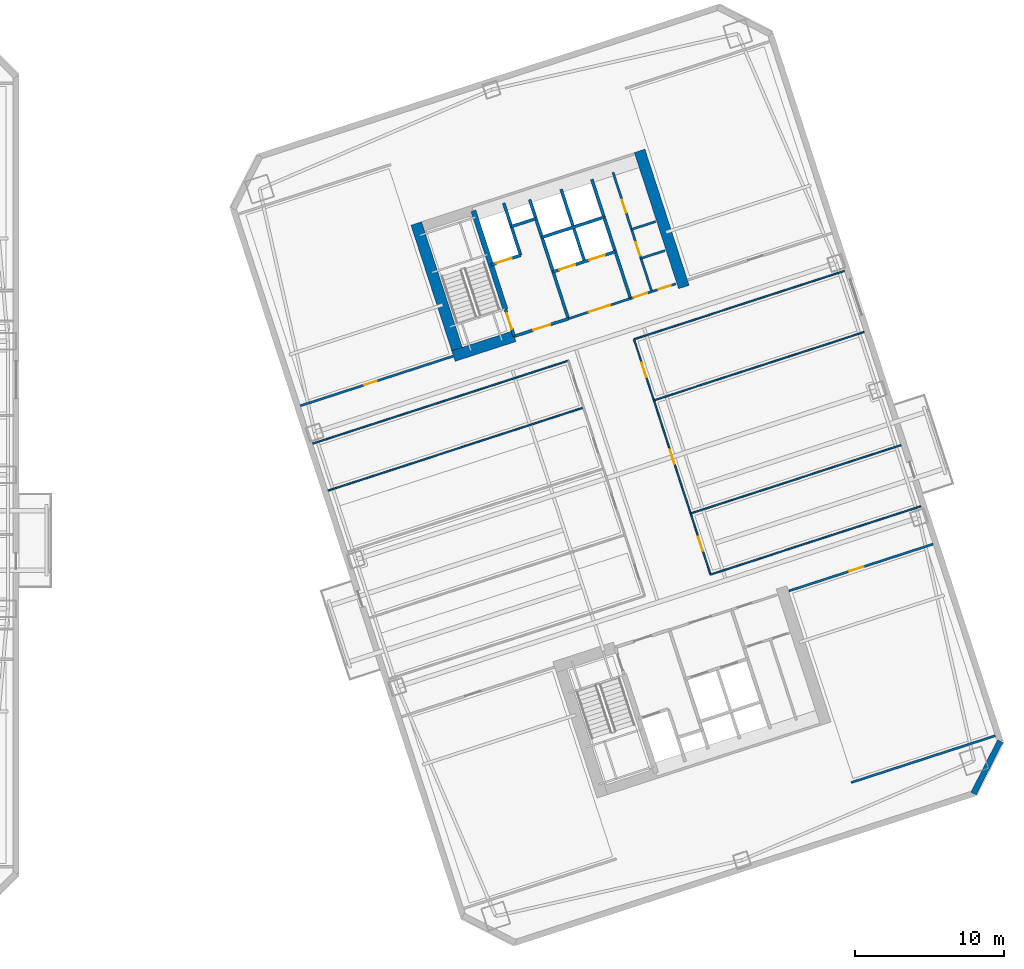
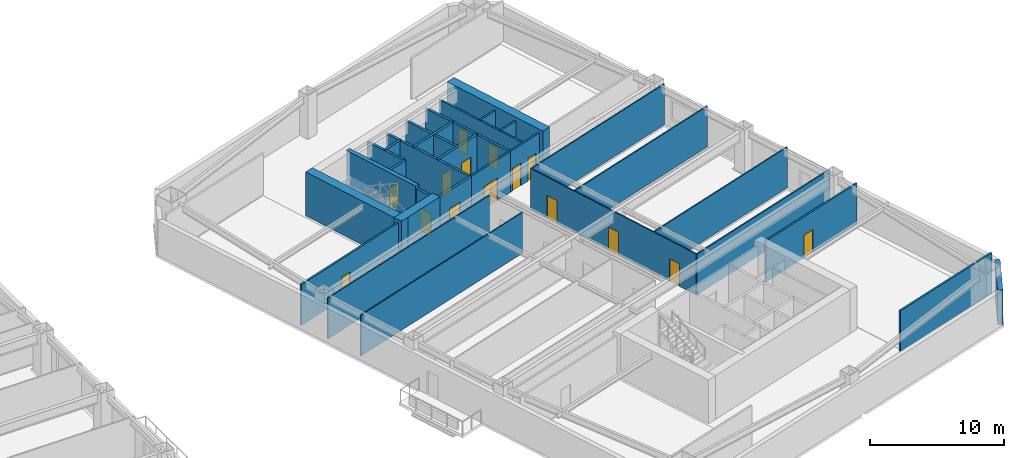
# One storey, part 8 of 18: 30 walls, 15 doors, 15 openings.
"""IFC4 building model written with IfcOpenShell, lengths in metres."""

from ifc_helpers import new_model, si_unit, direction, frame, frame_2d, origin, place, context, subcontext, project, spatial, rectangle, extrude, material, layer, layer_set, type_object, element, fill, save


model = new_model("IFC4")

# Units and contexts
model_context = context("Model", 3, precision=1e-05, world=origin(), true_north=direction((0.0, 1.0)))
body_context = subcontext(model_context, "Body", "Model", "MODEL_VIEW")
ifc_project = project(units=[si_unit("LENGTHUNIT", "METRE"), si_unit("AREAUNIT", "SQUARE_METRE"), si_unit("VOLUMEUNIT", "CUBIC_METRE"), si_unit("PLANEANGLEUNIT", "RADIAN"), si_unit("MASSUNIT", "GRAM", prefix="KILO")], contexts=[model_context])

# Site, building, storey
site_placement = place(None, origin())
site = spatial("IfcSite", under=ifc_project, at=site_placement, CompositionType="ELEMENT")
building_placement = place(site_placement, origin())
building = spatial("IfcBuilding", under=site, at=building_placement, Name="Qiaolan Cultural Towers", CompositionType="ELEMENT")
storey_placement = place(building_placement, frame((0.0, 0.0, 38.0)))
storey = spatial("IfcBuildingStorey", under=building, at=storey_placement, Name="L08", CompositionType="ELEMENT", Elevation=38.0)

# Walls
ifc_material_1 = material(Name="Concrete C50", Category="concrete")
ifc_layer_1 = layer(ifc_material_1, 0.35009765625)
ifc_layer_set_1 = layer_set([ifc_layer_1], Name="Concrete C50")
wall_type_1 = type_object("IfcWallType", Name="WL-CORE-350", PredefinedType="SHEAR", material=ifc_layer_set_1)
wall_1_placement = place(storey_placement, frame((82.513671875, 45.13134765625, 0.0), z_axis=(0.0, 0.0, 1.0), x_axis=(-0.308988790936, 0.951065679686, 0.0)))
element("IfcWall", 1, at=wall_1_placement, inside=storey, type_object=wall_type_1, Name="L08 T2-CN Stair Core Dividing Web", PredefinedType="SHEAR", context=body_context, shape_type="SweptSolid", body=[
    extrude(rectangle(XDim=6.97998046875, YDim=0.35009765625, at=frame_2d((3.489990234375, 0.0))), origin(), (0.0, 0.0, 1.0), 4.0),
])
ifc_material_2 = material(Name="Concrete C60", Category="concrete")
ifc_layer_2 = layer(ifc_material_2, 0.75)
ifc_layer_set_2 = layer_set([ifc_layer_2], Name="Concrete C60")
wall_type_2 = type_object("IfcWallType", Name="WL-CORE-750", PredefinedType="SHEAR", material=ifc_layer_set_2)
for number, where, z_axis, x_axis, name in (
    (2, (79.48876953125, 41.75634765625, 0.0), (0.0, 0.0, 1.0), (-0.309016134813, 0.951056795583, 0.0), "L08 T2-CN West Core Shear Wall"),
    (3, (94.515380859375, 46.638916015625, 0.0), (0.0, 0.0, 1.0), (-0.309016134813, 0.951056795583, 0.0), "L08 T2-CN East Core Shear Wall"),
):
    element("IfcWall", number, at=place(storey_placement, frame(where, z_axis=z_axis, x_axis=x_axis)), inside=storey, type_object=wall_type_2, Name=name, PredefinedType="SHEAR", context=body_context, shape_type="SweptSolid", body=[
        extrude(rectangle(XDim=9.630126953125, YDim=0.75, at=frame_2d((4.81494140625, 0.0))), origin(), (0.0, 0.0, 1.0), 4.0),
    ])
wall_2_placement = place(storey_placement, frame((79.01611328125, 41.997314453125, 0.0), z_axis=(0.0, 0.0, 1.0), x_axis=(0.95106038264, 0.309005094736, 0.0)))
element("IfcWall", 4, at=wall_2_placement, inside=storey, type_object=wall_type_2, Name="L08 T2-CN Stair Front Shear Wall", PredefinedType="SHEAR", context=body_context, shape_type="SweptSolid", body=[
    extrude(rectangle(XDim=4.294921875, YDim=0.75, at=frame_2d((2.1474609375, 0.0))), origin(), (0.0, 0.0, 1.0), 4.0),
])
ifc_material_3 = material(Name="Precast Concrete C50 Honed Stone Pier", Category="masonry")
ifc_layer_3 = layer(ifc_material_3, 0.39990234375)
ifc_layer_set_3 = layer_set([ifc_layer_3], Name="Precast Concrete C50 Honed Stone Pier")
wall_type_3 = type_object("IfcWallType", Name="WL-EXT-PIER-400", PredefinedType="SOLIDWALL", material=ifc_layer_set_3)
wall_3_placement = place(storey_placement, frame((115.79541015625, 16.094970703125, 0.0), z_axis=(0.0, 0.0, 1.0), x_axis=(-0.453958106755, -0.891023028497, 0.0)))
element("IfcWall", 5, at=wall_3_placement, inside=storey, type_object=wall_type_3, Name="L08 East Tower Precast Pier Facade Wall F6", PredefinedType="SOLIDWALL", context=body_context, shape_type="SweptSolid", body=[
    extrude(rectangle(XDim=3.9599609375, YDim=0.39990234375, at=frame_2d((1.97998046875, 0.0))), origin(), (0.0, 0.0, 1.0), 3.159912109375),
])

# Wall, opening, door
ifc_material_4 = material(Name="Concrete C35 Fire Wall", Category="concrete")
ifc_layer_4 = layer(ifc_material_4, 0.199951171875)
ifc_layer_set_4 = layer_set([ifc_layer_4], Name="Concrete C35 Fire Wall")
wall_type_4 = type_object("IfcWallType", Name="WL-FIRE-200", PredefinedType="PARTITIONING", material=ifc_layer_set_4)
wall_4_placement = place(storey_placement, frame((83.100830078125, 43.324462890625, 0.0), z_axis=(0.0, 0.0, 1.0), x_axis=(-0.309048298632, 0.951046344356, 0.0)))
wall_4 = element("IfcWall", 6, at=wall_4_placement, inside=storey, type_object=wall_type_4, Name="L08 T2-CN Smokeproof Stair Entry Wall", PredefinedType="PARTITIONING", context=body_context, shape_type="SweptSolid", body=[
    extrude(rectangle(XDim=1.89990234375, YDim=0.199951171875, at=frame_2d((0.949951171875, 0.0))), origin(), (0.0, 0.0, 1.0), 3.72509765625),
])
opening_1_placement = place(wall_4_placement, frame((0.52001953125, 0.0, 0.0)))
opening_1 = element("IfcOpeningElement", 7, at=opening_1_placement, cuts=wall_4, Name="Opening FD-04", PredefinedType="OPENING", context=body_context, shape_type="SweptSolid", body=[
    extrude(rectangle(XDim=1.10009765625, YDim=2.050048828125, at=frame_2d((0.550048828125, 1.02490234375))), frame((0.0, 0.10986328125, 0.0), z_axis=(0.0, -1.0, 0.0), x_axis=(1.0, 0.0, 0.0)), (0.0, 0.0, 1.0), 0.219970703125),
])
ifc_material_5 = material(Name="Galvanized Steel Command Fire Door", Category="steel")
door_type_1 = type_object("IfcDoorType", Name="DR-FD90-1100", OperationType="NOTDEFINED", PredefinedType="DOOR", material=ifc_material_5)
door_1_placement = place(opening_1_placement, origin())
door_1 = element("IfcDoor", 8, at=door_1_placement, inside=storey, type_object=door_type_1, Name="L08 ST-E2 Smokeproof Stair Fire Door", OperationType="SINGLE_SWING_LEFT", OverallHeight=2.050048828125, OverallWidth=1.10009765625, PredefinedType="DOOR", context=body_context, shape_type="SweptSolid", body=[
    extrude(rectangle(XDim=1.10009765625, YDim=2.050048828125, at=frame_2d((0.550048828125, 1.02490234375))), frame((0.0, 0.02490234375, 0.0), z_axis=(0.0, -1.0, 0.0), x_axis=(1.0, 0.0, 0.0)), (0.0, 0.0, 1.0), 0.050048828125),
])
fill(opening_1, door_1)

# Wall
wall_5_placement = place(storey_placement, frame((86.743408203125, 44.508056640625, 0.0), z_axis=(0.0, 0.0, 1.0), x_axis=(-0.309016001439, 0.951056838919, 0.0)))
element("IfcWall", 9, at=wall_5_placement, inside=storey, type_object=wall_type_4, Name="L08 T2-CN Firefighting Zone Wall", PredefinedType="PARTITIONING", context=body_context, shape_type="SweptSolid", body=[
    extrude(rectangle(XDim=8.429931640625, YDim=0.199951171875, at=frame_2d((4.21484375, 0.0))), origin(), (0.0, 0.0, 1.0), 3.72509765625),
])

# Wall, opening, door
wall_6_placement = place(storey_placement, frame((83.100830078125, 43.324462890625, 0.0), z_axis=(0.0, 0.0, 1.0), x_axis=(0.951052804469, 0.309028417967, 0.0)))
wall_6 = element("IfcWall", 10, at=wall_6_placement, inside=storey, type_object=wall_type_4, Name="L08 T2-CN Firefighting Lobby Front Wall", PredefinedType="PARTITIONING", context=body_context, shape_type="SweptSolid", body=[
    extrude(rectangle(XDim=3.830078125, YDim=0.199951171875, at=frame_2d((1.9150390625, 0.0))), origin(), (0.0, 0.0, 1.0), 3.72509765625),
])
opening_2_placement = place(wall_6_placement, frame((1.35009765625, 0.0, 0.0)))
opening_2 = element("IfcOpeningElement", 11, at=opening_2_placement, cuts=wall_6, Name="Opening FD-03", PredefinedType="OPENING", context=body_context, shape_type="SweptSolid", body=[
    extrude(rectangle(XDim=1.199951171875, YDim=2.050048828125, at=frame_2d((0.60009765625, 1.02490234375))), frame((0.0, 0.10986328125, 0.0), z_axis=(0.0, -1.0, 0.0), x_axis=(1.0, 0.0, 0.0)), (0.0, 0.0, 1.0), 0.219970703125),
])
ifc_material_6 = material(Name="Galvanized Steel Smokeproof Lobby Fire Door", Category="steel")
door_type_2 = type_object("IfcDoorType", Name="DR-FD90-1200", OperationType="NOTDEFINED", PredefinedType="DOOR", material=ifc_material_6)
door_2_placement = place(opening_2_placement, origin())
door_2 = element("IfcDoor", 12, at=door_2_placement, inside=storey, type_object=door_type_2, Name="L08 FFL-E2 Firefighting Lobby Fire Door", OperationType="SINGLE_SWING_LEFT", OverallHeight=2.050048828125, OverallWidth=1.199951171875, PredefinedType="DOOR", context=body_context, shape_type="SweptSolid", body=[
    extrude(rectangle(XDim=1.199951171875, YDim=2.050048828125, at=frame_2d((0.60009765625, 1.02490234375))), frame((0.0, 0.02490234375, 0.0), z_axis=(0.0, -1.0, 0.0), x_axis=(1.0, 0.0, 0.0)), (0.0, 0.0, 1.0), 0.050048828125),
])
fill(opening_2, door_2)

wall_7_placement = place(storey_placement, frame((81.540283203125, 48.127197265625, 0.0), z_axis=(0.0, 0.0, 1.0), x_axis=(0.951062257173, 0.308999325213, 0.0)))
wall_7 = element("IfcWall", 13, at=wall_7_placement, inside=storey, type_object=wall_type_4, Name="L08 T2-CN Firefighting Shaft Front Wall", PredefinedType="PARTITIONING", context=body_context, shape_type="SweptSolid", body=[
    extrude(rectangle(XDim=2.10009765625, YDim=0.199951171875, at=frame_2d((1.050048828125, 0.0))), origin(), (0.0, 0.0, 1.0), 3.72509765625),
])
opening_3_placement = place(wall_7_placement, frame((0.35009765625, 0.0, 0.0)))
opening_3 = element("IfcOpeningElement", 14, at=opening_3_placement, cuts=wall_7, Name="Opening LD-01", PredefinedType="OPENING", context=body_context, shape_type="SweptSolid", body=[
    extrude(rectangle(XDim=1.10009765625, YDim=2.050048828125, at=frame_2d((0.550048828125, 1.02490234375))), frame((0.0, 0.10986328125, 0.0), z_axis=(0.0, -1.0, 0.0), x_axis=(1.0, 0.0, 0.0)), (0.0, 0.0, 1.0), 0.219970703125),
])
ifc_material_7 = material(Name="Brushed Stainless Steel S30408 Centre-Parting Lift Landing Door", Category="steel")
door_type_3 = type_object("IfcDoorType", Name="DR-LIFT-1100", OperationType="NOTDEFINED", PredefinedType="DOOR", material=ifc_material_7)
door_3_placement = place(opening_3_placement, origin())
door_3 = element("IfcDoor", 15, at=door_3_placement, inside=storey, type_object=door_type_3, Name="L08 FFL-E2 Firefighting Lift Landing Door", OperationType="DOUBLE_DOOR_SLIDING", OverallHeight=2.050048828125, OverallWidth=1.10009765625, PredefinedType="DOOR", context=body_context, shape_type="SweptSolid", body=[
    extrude(rectangle(XDim=1.10009765625, YDim=2.050048828125, at=frame_2d((0.550048828125, 1.02490234375))), frame((0.0, 0.02490234375, 0.0), z_axis=(0.0, -1.0, 0.0), x_axis=(1.0, 0.0, 0.0)), (0.0, 0.0, 1.0), 0.050048828125),
])
fill(opening_3, door_3)

# Walls
wall_8_placement = place(storey_placement, frame((83.53759765625, 48.776123046875, 0.0), z_axis=(0.0, 0.0, 1.0), x_axis=(-0.3089935693, 0.951064127245, 0.0)))
element("IfcWall", 16, at=wall_8_placement, inside=storey, type_object=wall_type_4, Name="L08 T2-CN Firefighting Hoistway East Wall", PredefinedType="PARTITIONING", context=body_context, shape_type="SweptSolid", body=[
    extrude(rectangle(XDim=3.7001953125, YDim=0.199951171875, at=frame_2d((1.85009765625, 0.0))), origin(), (0.0, 0.0, 1.0), 3.72509765625),
])
wall_9_placement = place(storey_placement, frame((82.910400390625, 50.706787109375, 0.0), z_axis=(0.0, 0.0, 1.0), x_axis=(0.951041328149, 0.309063734775, 0.0)))
element("IfcWall", 17, at=wall_9_placement, inside=storey, type_object=wall_type_4, Name="L08 T2-CN Pressurization Shaft Front Wall", PredefinedType="PARTITIONING", context=body_context, shape_type="SweptSolid", body=[
    extrude(rectangle(XDim=1.72998046875, YDim=0.199951171875, at=frame_2d((0.864990234375, 0.0))), origin(), (0.0, 0.0, 1.0), 3.72509765625),
])
wall_10_placement = place(storey_placement, frame((90.92822265625, 45.86767578125, 0.0), z_axis=(0.0, 0.0, 1.0), x_axis=(-0.309042196757, 0.951048327176, 0.0)))
element("IfcWall", 18, at=wall_10_placement, inside=storey, type_object=wall_type_4, Name="L08 T2-CN Lift Core East Wall", PredefinedType="PARTITIONING", context=body_context, shape_type="SweptSolid", body=[
    extrude(rectangle(XDim=8.429931640625, YDim=0.199951171875, at=frame_2d((4.21484375, 0.0))), origin(), (0.0, 0.0, 1.0), 3.72509765625),
])

# Wall, openings, doors
wall_11_placement = place(storey_placement, frame((85.717529296875, 47.66552734375, 0.0), z_axis=(0.0, 0.0, 1.0), x_axis=(0.951058531764, 0.30901079133, 0.0)))
wall_11 = element("IfcWall", 19, at=wall_11_placement, inside=storey, type_object=wall_type_4, Name="L08 T2-CN Passenger Lift Shaft Front Wall", PredefinedType="PARTITIONING", context=body_context, shape_type="SweptSolid", body=[
    extrude(rectangle(XDim=4.39990234375, YDim=0.199951171875, at=frame_2d((2.199951171875, 0.0))), origin(), (0.0, 0.0, 1.0), 3.72509765625),
])
opening_4_placement = place(wall_11_placement, frame((0.449951171875, 0.0, 0.0)))
opening_4 = element("IfcOpeningElement", 20, at=opening_4_placement, cuts=wall_11, Name="Opening LD-01", PredefinedType="OPENING", context=body_context, shape_type="SweptSolid", body=[
    extrude(rectangle(XDim=1.10009765625, YDim=2.050048828125, at=frame_2d((0.550048828125, 1.02490234375))), frame((0.0, 0.10986328125, 0.0), z_axis=(0.0, -1.0, 0.0), x_axis=(1.0, 0.0, 0.0)), (0.0, 0.0, 1.0), 0.219970703125),
])
opening_5_placement = place(wall_11_placement, frame((2.550048828125, 0.0, 0.0)))
opening_5 = element("IfcOpeningElement", 21, at=opening_5_placement, cuts=wall_11, Name="Opening LD-01", PredefinedType="OPENING", context=body_context, shape_type="SweptSolid", body=[
    extrude(rectangle(XDim=1.10009765625, YDim=2.050048828125, at=frame_2d((0.550048828125, 1.02490234375))), frame((0.0, 0.10986328125, 0.0), z_axis=(0.0, -1.0, 0.0), x_axis=(1.0, 0.0, 0.0)), (0.0, 0.0, 1.0), 0.219970703125),
])
door_4_placement = place(opening_4_placement, origin())
door_4 = element("IfcDoor", 22, at=door_4_placement, inside=storey, type_object=door_type_3, Name="L08 Passenger Lift 1 Landing Door", OperationType="DOUBLE_DOOR_SLIDING", OverallHeight=2.050048828125, OverallWidth=1.10009765625, PredefinedType="DOOR", context=body_context, shape_type="SweptSolid", body=[
    extrude(rectangle(XDim=1.10009765625, YDim=2.050048828125, at=frame_2d((0.550048828125, 1.02490234375))), frame((0.0, 0.02490234375, 0.0), z_axis=(0.0, -1.0, 0.0), x_axis=(1.0, 0.0, 0.0)), (0.0, 0.0, 1.0), 0.050048828125),
])
fill(opening_4, door_4)
door_5_placement = place(opening_5_placement, origin())
door_5 = element("IfcDoor", 23, at=door_5_placement, inside=storey, type_object=door_type_3, Name="L08 Passenger Lift 2 Landing Door", OperationType="DOUBLE_DOOR_SLIDING", OverallHeight=2.050048828125, OverallWidth=1.10009765625, PredefinedType="DOOR", context=body_context, shape_type="SweptSolid", body=[
    extrude(rectangle(XDim=1.10009765625, YDim=2.050048828125, at=frame_2d((0.550048828125, 1.02490234375))), frame((0.0, 0.02490234375, 0.0), z_axis=(0.0, -1.0, 0.0), x_axis=(1.0, 0.0, 0.0)), (0.0, 0.0, 1.0), 0.050048828125),
])
fill(opening_5, door_5)

# Walls
wall_12_placement = place(storey_placement, frame((87.83837890625, 48.3544921875, 0.0), z_axis=(0.0, 0.0, 1.0), x_axis=(-0.3090093719, 0.951058992953, 0.0)))
element("IfcWall", 24, at=wall_12_placement, inside=storey, type_object=wall_type_4, Name="L08 T2-CN Lift Shaft Divider Wall", PredefinedType="PARTITIONING", context=body_context, shape_type="SweptSolid", body=[
    extrude(rectangle(XDim=5.110107421875, YDim=0.199951171875, at=frame_2d((2.55517578125, 0.0))), origin(), (0.0, 0.0, 1.0), 3.72509765625),
])
wall_13_placement = place(storey_placement, frame((84.966552734375, 49.9765625, 0.0), z_axis=(0.0, 0.0, 1.0), x_axis=(0.951063829732, 0.308994485023, 0.0)))
element("IfcWall", 25, at=wall_13_placement, inside=storey, type_object=wall_type_4, Name="L08 T2-CN Passenger Lift Shaft Back Wall", PredefinedType="PARTITIONING", context=body_context, shape_type="SweptSolid", body=[
    extrude(rectangle(XDim=4.400146484375, YDim=0.199951171875, at=frame_2d((2.2001953125, 0.0))), origin(), (0.0, 0.0, 1.0), 3.72509765625),
])
ifc_material_8 = material(Name="Acoustic Double-Glazed Partition Frame", Category="glass")
ifc_layer_5 = layer(ifc_material_8, 0.10009765625)
ifc_layer_set_5 = layer_set([ifc_layer_5], Name="Acoustic Double-Glazed Partition Frame")
wall_type_5 = type_object("IfcWallType", Name="WL-GLAZED-100", PredefinedType="MOVABLE", material=ifc_layer_set_5)
wall_14_placement = place(storey_placement, frame((96.303955078125, 27.300048828125, 0.0), z_axis=(0.0, 0.0, 1.0), x_axis=(0.951055535739, 0.309020012199, 0.0)))
element("IfcWall", 26, at=wall_14_placement, inside=storey, type_object=wall_type_5, Name="L08 T2 South Corridor Right Wall", PredefinedType="MOVABLE", context=body_context, shape_type="SweptSolid", body=[
    extrude(rectangle(XDim=14.875, YDim=0.10009765625, at=frame_2d((7.4375, 0.0))), origin(), (0.0, 0.0, 1.0), 3.72509765625),
])
wall_15_placement = place(storey_placement, frame((69.549072265625, 36.103271484375, 0.0), z_axis=(0.0, 0.0, 1.0), x_axis=(0.951057491432, 0.309013993197, 0.0)))
element("IfcWall", 27, at=wall_15_placement, inside=storey, type_object=wall_type_5, Name="L08 T2 North Corridor Left Wall", PredefinedType="MOVABLE", context=body_context, shape_type="SweptSolid", body=[
    extrude(rectangle(XDim=18.074951171875, YDim=0.10009765625, at=frame_2d((9.03759765625, 0.0))), origin(), (0.0, 0.0, 1.0), 3.72509765625),
])
wall_16_placement = place(storey_placement, frame((91.161865234375, 43.125732421875, 0.0), z_axis=(0.0, 0.0, 1.0), x_axis=(0.951055535739, 0.309020012199, 0.0)))
element("IfcWall", 28, at=wall_16_placement, inside=storey, type_object=wall_type_5, Name="L08 T2 North Corridor Right Wall", PredefinedType="MOVABLE", context=body_context, shape_type="SweptSolid", body=[
    extrude(rectangle(XDim=14.875, YDim=0.10009765625, at=frame_2d((7.4375, 0.0))), origin(), (0.0, 0.0, 1.0), 3.72509765625),
])

# Wall, openings, doors
wall_17_placement = place(storey_placement, frame((96.303955078125, 27.300048828125, 0.0), z_axis=(0.0, 0.0, 1.0), x_axis=(-0.30901773025, 0.951056277195, 0.0)))
wall_17 = element("IfcWall", 29, at=wall_17_placement, inside=storey, type_object=wall_type_5, Name="L08 T2 East Spine Wall", PredefinedType="MOVABLE", context=body_context, shape_type="SweptSolid", body=[
    extrude(rectangle(XDim=16.64013671875, YDim=0.10009765625, at=frame_2d((8.320068359375, 0.0))), origin(), (0.0, 0.0, 1.0), 3.72509765625),
])
opening_6_placement = place(wall_17_placement, frame((1.659912109375, 0.0, 0.0)))
opening_6 = element("IfcOpeningElement", 30, at=opening_6_placement, cuts=wall_17, Name="Opening ID-04", PredefinedType="OPENING", context=body_context, shape_type="SweptSolid", body=[
    extrude(rectangle(XDim=1.0, YDim=2.050048828125, at=frame_2d((0.5, 1.02490234375))), frame((0.0, 0.06005859375, 0.0), z_axis=(0.0, -1.0, 0.0), x_axis=(1.0, 0.0, 0.0)), (0.0, 0.0, 1.0), 0.1201171875),
])
opening_7_placement = place(wall_17_placement, frame((7.820068359375, 0.0, 0.0)))
opening_7 = element("IfcOpeningElement", 31, at=opening_7_placement, cuts=wall_17, Name="Opening ID-04", PredefinedType="OPENING", context=body_context, shape_type="SweptSolid", body=[
    extrude(rectangle(XDim=1.0, YDim=2.050048828125, at=frame_2d((0.5, 1.02490234375))), frame((0.0, 0.06005859375, 0.0), z_axis=(0.0, -1.0, 0.0), x_axis=(1.0, 0.0, 0.0)), (0.0, 0.0, 1.0), 0.1201171875),
])
opening_8_placement = place(wall_17_placement, frame((13.97998046875, 0.0, 0.0)))
opening_8 = element("IfcOpeningElement", 32, at=opening_8_placement, cuts=wall_17, Name="Opening ID-04", PredefinedType="OPENING", context=body_context, shape_type="SweptSolid", body=[
    extrude(rectangle(XDim=1.0, YDim=2.050048828125, at=frame_2d((0.5, 1.02490234375))), frame((0.0, 0.06005859375, 0.0), z_axis=(0.0, -1.0, 0.0), x_axis=(1.0, 0.0, 0.0)), (0.0, 0.0, 1.0), 0.1201171875),
])
ifc_material_9 = material(Name="Oak Veneer Acoustic Office Door", Category="timber")
door_type_4 = type_object("IfcDoorType", Name="DR-INT-1000", OperationType="NOTDEFINED", PredefinedType="DOOR", material=ifc_material_9)
door_6_placement = place(opening_6_placement, origin())
door_6 = element("IfcDoor", 33, at=door_6_placement, inside=storey, type_object=door_type_4, Name="L08 T2 Cultural Bookstore Gallery Door", OperationType="SINGLE_SWING_RIGHT", OverallHeight=2.050048828125, OverallWidth=1.0, PredefinedType="DOOR", context=body_context, shape_type="SweptSolid", body=[
    extrude(rectangle(XDim=1.0, YDim=2.050048828125, at=frame_2d((0.5, 1.02490234375))), frame((0.0, 0.02490234375, 0.0), z_axis=(0.0, -1.0, 0.0), x_axis=(1.0, 0.0, 0.0)), (0.0, 0.0, 1.0), 0.050048828125),
])
fill(opening_6, door_6)
door_7_placement = place(opening_7_placement, origin())
door_7 = element("IfcDoor", 34, at=door_7_placement, inside=storey, type_object=door_type_4, Name="L08 T2 Design Archive Studio Door", OperationType="SINGLE_SWING_LEFT", OverallHeight=2.050048828125, OverallWidth=1.0, PredefinedType="DOOR", context=body_context, shape_type="SweptSolid", body=[
    extrude(rectangle(XDim=1.0, YDim=2.050048828125, at=frame_2d((0.5, 1.02490234375))), frame((0.0, 0.02490234375, 0.0), z_axis=(0.0, -1.0, 0.0), x_axis=(1.0, 0.0, 0.0)), (0.0, 0.0, 1.0), 0.050048828125),
])
fill(opening_7, door_7)
door_8_placement = place(opening_8_placement, origin())
door_8 = element("IfcDoor", 35, at=door_8_placement, inside=storey, type_object=door_type_4, Name="L08 T2 Staff Dining Kitchen Door", OperationType="SINGLE_SWING_RIGHT", OverallHeight=2.050048828125, OverallWidth=1.0, PredefinedType="DOOR", context=body_context, shape_type="SweptSolid", body=[
    extrude(rectangle(XDim=1.0, YDim=2.050048828125, at=frame_2d((0.5, 1.02490234375))), frame((0.0, 0.02490234375, 0.0), z_axis=(0.0, -1.0, 0.0), x_axis=(1.0, 0.0, 0.0)), (0.0, 0.0, 1.0), 0.050048828125),
])
fill(opening_8, door_8)

# Walls
wall_18_placement = place(storey_placement, frame((70.574951171875, 32.94580078125, 0.0), z_axis=(0.0, 0.0, 1.0), x_axis=(0.951057491432, 0.309013993197, 0.0)))
element("IfcWall", 36, at=wall_18_placement, inside=storey, type_object=wall_type_5, Name="L08 T2 West Partition 5", PredefinedType="MOVABLE", context=body_context, shape_type="SweptSolid", body=[
    extrude(rectangle(XDim=18.074951171875, YDim=0.10009765625, at=frame_2d((9.03759765625, 0.0))), origin(), (0.0, 0.0, 1.0), 3.72509765625),
])
for number, where, z_axis, x_axis, name in (
    (37, (94.968994140625, 31.40869140625, 0.0), (0.0, 0.0, 1.0), (0.951055535739, 0.309020012199, 0.0), "L08 T2 East Partition 1"),
    (38, (92.496826171875, 39.01708984375, 0.0), (0.0, 0.0, 1.0), (0.951055535739, 0.309020012199, 0.0), "L08 T2 East Partition 2"),
):
    element("IfcWall", number, at=place(storey_placement, frame(where, z_axis=z_axis, x_axis=x_axis)), inside=storey, type_object=wall_type_5, Name=name, PredefinedType="MOVABLE", context=body_context, shape_type="SweptSolid", body=[
        extrude(rectangle(XDim=14.875, YDim=0.10009765625, at=frame_2d((7.4375, 0.0))), origin(), (0.0, 0.0, 1.0), 3.72509765625),
    ])

# Wall, opening, door
ifc_material_10 = material(Name="Autoclaved Aerated Concrete Block B06", Category="concrete")
ifc_layer_6 = layer(ifc_material_10, 0.14990234375)
ifc_layer_set_6 = layer_set([ifc_layer_6], Name="Autoclaved Aerated Concrete Block B06")
wall_type_6 = type_object("IfcWallType", Name="WL-PART-150", PredefinedType="PARTITIONING", material=ifc_layer_set_6)
wall_19_placement = place(storey_placement, frame((86.743408203125, 44.508056640625, 0.0), z_axis=(0.0, 0.0, 1.0), x_axis=(0.951063829732, 0.308994485023, 0.0)))
wall_19 = element("IfcWall", 39, at=wall_19_placement, inside=storey, type_object=wall_type_6, Name="L08 T2-CN Passenger Lift Lobby Front Wall", PredefinedType="PARTITIONING", context=body_context, shape_type="SweptSolid", body=[
    extrude(rectangle(XDim=4.400146484375, YDim=0.14990234375, at=frame_2d((2.2001953125, 0.0))), origin(), (0.0, 0.0, 1.0), 3.72509765625),
])
opening_9_placement = place(wall_19_placement, frame((1.449951171875, 0.0, 0.0)))
opening_9 = element("IfcOpeningElement", 40, at=opening_9_placement, cuts=wall_19, Name="Opening FD-05", PredefinedType="OPENING", context=body_context, shape_type="SweptSolid", body=[
    extrude(rectangle(XDim=1.5, YDim=2.050048828125, at=frame_2d((0.75, 1.02490234375))), frame((0.0, 0.0849609375, 0.0), z_axis=(0.0, -1.0, 0.0), x_axis=(1.0, 0.0, 0.0)), (0.0, 0.0, 1.0), 0.169921875),
])
ifc_material_11 = material(Name="Painted Steel Lift Lobby Fire Door", Category="steel")
door_type_5 = type_object("IfcDoorType", Name="DR-FD60-1500", OperationType="NOTDEFINED", PredefinedType="DOOR", material=ifc_material_11)
door_9_placement = place(opening_9_placement, origin())
door_9 = element("IfcDoor", 41, at=door_9_placement, inside=storey, type_object=door_type_5, Name="L08 Passenger Lift Lobby Entrance", OperationType="SINGLE_SWING_LEFT", OverallHeight=2.050048828125, OverallWidth=1.5, PredefinedType="DOOR", context=body_context, shape_type="SweptSolid", body=[
    extrude(rectangle(XDim=1.5, YDim=2.050048828125, at=frame_2d((0.75, 1.02490234375))), frame((0.0, 0.02490234375, 0.0), z_axis=(0.0, -1.0, 0.0), x_axis=(1.0, 0.0, 0.0)), (0.0, 0.0, 1.0), 0.050048828125),
])
fill(opening_9, door_9)

# Wall, openings, doors
wall_20_placement = place(storey_placement, frame((90.92822265625, 45.86767578125, 0.0), z_axis=(0.0, 0.0, 1.0), x_axis=(0.951059297078, 0.309008435874, 0.0)))
wall_20 = element("IfcWall", 42, at=wall_20_placement, inside=storey, type_object=wall_type_6, Name="L08 T2-CN Sanitary Core Front Wall", PredefinedType="PARTITIONING", context=body_context, shape_type="SweptSolid", body=[
    extrude(rectangle(XDim=3.19970703125, YDim=0.14990234375, at=frame_2d((1.599853515625, 0.0))), origin(), (0.0, 0.0, 1.0), 3.72509765625),
])
opening_10_placement = place(wall_20_placement, frame((0.219970703125, 0.0, 0.0)))
opening_10 = element("IfcOpeningElement", 43, at=opening_10_placement, cuts=wall_20, Name="Opening ID-05", PredefinedType="OPENING", context=body_context, shape_type="SweptSolid", body=[
    extrude(rectangle(XDim=0.949951171875, YDim=2.050048828125, at=frame_2d((0.47509765625, 1.02490234375))), frame((0.0, 0.0849609375, 0.0), z_axis=(0.0, -1.0, 0.0), x_axis=(1.0, 0.0, 0.0)), (0.0, 0.0, 1.0), 0.169921875),
])
opening_11_placement = place(wall_20_placement, frame((1.949951171875, 0.0, 0.0)))
opening_11 = element("IfcOpeningElement", 44, at=opening_11_placement, cuts=wall_20, Name="Opening ID-06", PredefinedType="OPENING", context=body_context, shape_type="SweptSolid", body=[
    extrude(rectangle(XDim=0.89990234375, YDim=2.050048828125, at=frame_2d((0.449951171875, 1.02490234375))), frame((0.0, 0.0849609375, 0.0), z_axis=(0.0, -1.0, 0.0), x_axis=(1.0, 0.0, 0.0)), (0.0, 0.0, 1.0), 0.169921875),
])
ifc_material_12 = material(Name="Fire-Rated Laminate Core Service Door", Category="timber")
door_type_6 = type_object("IfcDoorType", Name="DR-INT-900", OperationType="NOTDEFINED", PredefinedType="DOOR", material=ifc_material_12)
door_10_placement = place(opening_11_placement, origin())
door_10 = element("IfcDoor", 45, at=door_10_placement, inside=storey, type_object=door_type_6, Name="L08 Core Tea Pantry Door", OperationType="SINGLE_SWING_RIGHT", OverallHeight=2.050048828125, OverallWidth=0.89990234375, PredefinedType="DOOR", context=body_context, shape_type="SweptSolid", body=[
    extrude(rectangle(XDim=0.89990234375, YDim=2.050048828125, at=frame_2d((0.449951171875, 1.02490234375))), frame((0.0, 0.02490234375, 0.0), z_axis=(0.0, -1.0, 0.0), x_axis=(1.0, 0.0, 0.0)), (0.0, 0.0, 1.0), 0.050048828125),
])
fill(opening_11, door_10)
ifc_material_13 = material(Name="Fire-Rated Laminate Accessible Core Door", Category="timber")
door_type_7 = type_object("IfcDoorType", Name="DR-INT-950", OperationType="NOTDEFINED", PredefinedType="DOOR", material=ifc_material_13)
door_11_placement = place(opening_10_placement, origin())
door_11 = element("IfcDoor", 46, at=door_11_placement, inside=storey, type_object=door_type_7, Name="L08 Sanitary Passage Door", OperationType="SINGLE_SWING_LEFT", OverallHeight=2.050048828125, OverallWidth=0.949951171875, PredefinedType="DOOR", context=body_context, shape_type="SweptSolid", body=[
    extrude(rectangle(XDim=0.949951171875, YDim=2.050048828125, at=frame_2d((0.47509765625, 1.02490234375))), frame((0.0, 0.02490234375, 0.0), z_axis=(0.0, -1.0, 0.0), x_axis=(1.0, 0.0, 0.0)), (0.0, 0.0, 1.0), 0.050048828125),
])
fill(opening_10, door_11)

wall_21_placement = place(storey_placement, frame((92.354736328125, 46.3310546875, 0.0), z_axis=(0.0, 0.0, 1.0), x_axis=(-0.309007490203, 0.951059604335, 0.0)))
wall_21 = element("IfcWall", 47, at=wall_21_placement, inside=storey, type_object=wall_type_6, Name="L08 T2-CN Sanitary Corridor Wall", PredefinedType="PARTITIONING", context=body_context, shape_type="SweptSolid", body=[
    extrude(rectangle(XDim=8.43017578125, YDim=0.14990234375, at=frame_2d((4.215087890625, 0.0))), origin(), (0.0, 0.0, 1.0), 3.72509765625),
])
opening_12_placement = place(wall_21_placement, frame((2.550048828125, 0.0, 0.0)))
opening_12 = element("IfcOpeningElement", 48, at=opening_12_placement, cuts=wall_21, Name="Opening ID-05", PredefinedType="OPENING", context=body_context, shape_type="SweptSolid", body=[
    extrude(rectangle(XDim=0.949951171875, YDim=2.050048828125, at=frame_2d((0.47509765625, 1.02490234375))), frame((0.0, 0.0849609375, 0.0), z_axis=(0.0, -1.0, 0.0), x_axis=(1.0, 0.0, 0.0)), (0.0, 0.0, 1.0), 0.169921875),
])
opening_13_placement = place(wall_21_placement, frame((5.60009765625, 0.0, 0.0)))
opening_13 = element("IfcOpeningElement", 49, at=opening_13_placement, cuts=wall_21, Name="Opening ID-06", PredefinedType="OPENING", context=body_context, shape_type="SweptSolid", body=[
    extrude(rectangle(XDim=0.89990234375, YDim=2.050048828125, at=frame_2d((0.449951171875, 1.02490234375))), frame((0.0, 0.0849609375, 0.0), z_axis=(0.0, -1.0, 0.0), x_axis=(1.0, 0.0, 0.0)), (0.0, 0.0, 1.0), 0.169921875),
])
door_12_placement = place(opening_13_placement, origin())
door_12 = element("IfcDoor", 50, at=door_12_placement, inside=storey, type_object=door_type_6, Name="L08 Staff Restroom Door", OperationType="SINGLE_SWING_RIGHT", OverallHeight=2.050048828125, OverallWidth=0.89990234375, PredefinedType="DOOR", context=body_context, shape_type="SweptSolid", body=[
    extrude(rectangle(XDim=0.89990234375, YDim=2.050048828125, at=frame_2d((0.449951171875, 1.02490234375))), frame((0.0, 0.02490234375, 0.0), z_axis=(0.0, -1.0, 0.0), x_axis=(1.0, 0.0, 0.0)), (0.0, 0.0, 1.0), 0.050048828125),
])
fill(opening_13, door_12)
door_13_placement = place(opening_12_placement, origin())
door_13 = element("IfcDoor", 51, at=door_13_placement, inside=storey, type_object=door_type_7, Name="L08 Accessible Washroom Door", OperationType="SINGLE_SWING_LEFT", OverallHeight=2.050048828125, OverallWidth=0.949951171875, PredefinedType="DOOR", context=body_context, shape_type="SweptSolid", body=[
    extrude(rectangle(XDim=0.949951171875, YDim=2.050048828125, at=frame_2d((0.47509765625, 1.02490234375))), frame((0.0, 0.02490234375, 0.0), z_axis=(0.0, -1.0, 0.0), x_axis=(1.0, 0.0, 0.0)), (0.0, 0.0, 1.0), 0.050048828125),
])
fill(opening_12, door_13)

# Walls
wall_22_placement = place(storey_placement, frame((90.9951171875, 50.515869140625, 0.0), z_axis=(0.0, 0.0, 1.0), x_axis=(0.951040401051, 0.309066587596, 0.0)))
element("IfcWall", 52, at=wall_22_placement, inside=storey, type_object=wall_type_6, Name="L08 T2-CN Restroom Split Wall", PredefinedType="PARTITIONING", context=body_context, shape_type="SweptSolid", body=[
    extrude(rectangle(XDim=1.699951171875, YDim=0.14990234375, at=frame_2d((0.85009765625, 0.0))), origin(), (0.0, 0.0, 1.0), 3.72509765625),
])
wall_23_placement = place(storey_placement, frame((91.62841796875, 48.566162109375, 0.0), z_axis=(0.0, 0.0, 1.0), x_axis=(0.951054116971, 0.309024378638, 0.0)))
element("IfcWall", 53, at=wall_23_placement, inside=storey, type_object=wall_type_6, Name="L08 T2-CN Core Pantry Wall", PredefinedType="PARTITIONING", context=body_context, shape_type="SweptSolid", body=[
    extrude(rectangle(XDim=1.7001953125, YDim=0.14990234375, at=frame_2d((0.85009765625, 0.0))), origin(), (0.0, 0.0, 1.0), 3.72509765625),
])
wall_24_placement = place(storey_placement, frame((105.765380859375, 13.30908203125, 0.0), z_axis=(0.0, 0.0, 1.0), x_axis=(0.951054294345, 0.309023832749, 0.0)))
element("IfcWall", 54, at=wall_24_placement, inside=storey, type_object=wall_type_6, Name="L08 T2 Flank Wall FLK-SE", PredefinedType="PARTITIONING", context=body_context, shape_type="SweptSolid", body=[
    extrude(rectangle(XDim=10.2001953125, YDim=0.14990234375, at=frame_2d((5.10009765625, 0.0))), origin(), (0.0, 0.0, 1.0), 3.72509765625),
])

# Wall, opening, door
wall_25_placement = place(storey_placement, frame((101.578369140625, 26.196044921875, 0.0), z_axis=(0.0, 0.0, 1.0), x_axis=(0.951059043131, 0.309009217467, 0.0)))
wall_25 = element("IfcWall", 55, at=wall_25_placement, inside=storey, type_object=wall_type_6, Name="L08 T2 Flank Front FLK-SE", PredefinedType="PARTITIONING", context=body_context, shape_type="SweptSolid", body=[
    extrude(rectangle(XDim=10.199951171875, YDim=0.14990234375, at=frame_2d((5.10009765625, 0.0))), origin(), (0.0, 0.0, 1.0), 3.72509765625),
])
opening_14_placement = place(wall_25_placement, frame((4.283935546875, 0.0, 0.0)))
opening_14 = element("IfcOpeningElement", 56, at=opening_14_placement, cuts=wall_25, Name="Opening ID-04", PredefinedType="OPENING", context=body_context, shape_type="SweptSolid", body=[
    extrude(rectangle(XDim=1.0, YDim=2.050048828125, at=frame_2d((0.5, 1.02490234375))), frame((0.0, 0.0849609375, 0.0), z_axis=(0.0, -1.0, 0.0), x_axis=(1.0, 0.0, 0.0)), (0.0, 0.0, 1.0), 0.169921875),
])
door_14_placement = place(opening_14_placement, origin())
door_14 = element("IfcDoor", 57, at=door_14_placement, inside=storey, type_object=door_type_4, Name="L08 T2 Corner Studio Door", OperationType="SINGLE_SWING_LEFT", OverallHeight=2.050048828125, OverallWidth=1.0, PredefinedType="DOOR", context=body_context, shape_type="SweptSolid", body=[
    extrude(rectangle(XDim=1.0, YDim=2.050048828125, at=frame_2d((0.5, 1.02490234375))), frame((0.0, 0.02490234375, 0.0), z_axis=(0.0, -1.0, 0.0), x_axis=(1.0, 0.0, 0.0)), (0.0, 0.0, 1.0), 0.050048828125),
])
fill(opening_14, door_14)

wall_26_placement = place(storey_placement, frame((68.720947265625, 38.652099609375, 0.0), z_axis=(0.0, 0.0, 1.0), x_axis=(0.951056658866, 0.309016555588, 0.0)))
wall_26 = element("IfcWall", 58, at=wall_26_placement, inside=storey, type_object=wall_type_6, Name="L08 T2 Flank Front FLK-NW", PredefinedType="PARTITIONING", context=body_context, shape_type="SweptSolid", body=[
    extrude(rectangle(XDim=10.800048828125, YDim=0.14990234375, at=frame_2d((5.39990234375, 0.0))), origin(), (0.0, 0.0, 1.0), 3.72509765625),
])
opening_15_placement = place(wall_26_placement, frame((4.535888671875, 0.0, 0.0)))
opening_15 = element("IfcOpeningElement", 59, at=opening_15_placement, cuts=wall_26, Name="Opening ID-09", PredefinedType="OPENING", context=body_context, shape_type="SweptSolid", body=[
    extrude(rectangle(XDim=0.85009765625, YDim=2.050048828125, at=frame_2d((0.425048828125, 1.02490234375))), frame((0.0, 0.0849609375, 0.0), z_axis=(0.0, -1.0, 0.0), x_axis=(1.0, 0.0, 0.0)), (0.0, 0.0, 1.0), 0.169921875),
])
ifc_material_14 = material(Name="Moisture-Resistant Laminate Utility Door", Category="timber")
door_type_8 = type_object("IfcDoorType", Name="DR-INT-850", OperationType="NOTDEFINED", PredefinedType="DOOR", material=ifc_material_14)
door_15_placement = place(opening_15_placement, origin())
door_15 = element("IfcDoor", 60, at=door_15_placement, inside=storey, type_object=door_type_8, Name="L08 T2 Corner Studio Door", OperationType="SINGLE_SWING_LEFT", OverallHeight=2.050048828125, OverallWidth=0.85009765625, PredefinedType="DOOR", context=body_context, shape_type="SweptSolid", body=[
    extrude(rectangle(XDim=0.85009765625, YDim=2.050048828125, at=frame_2d((0.425048828125, 1.02490234375))), frame((0.0, 0.02490234375, 0.0), z_axis=(0.0, -1.0, 0.0), x_axis=(1.0, 0.0, 0.0)), (0.0, 0.0, 1.0), 0.050048828125),
])
fill(opening_15, door_15)

save(model, "model.ifc")
